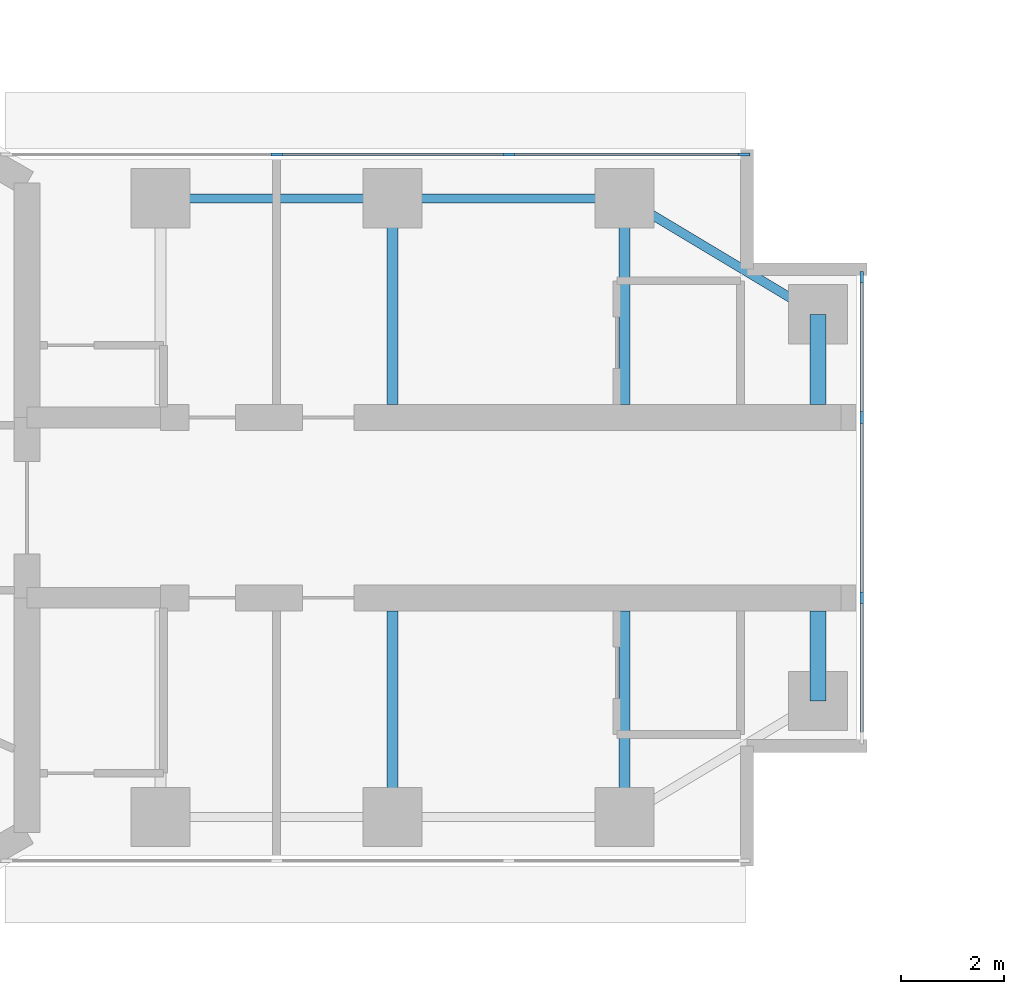
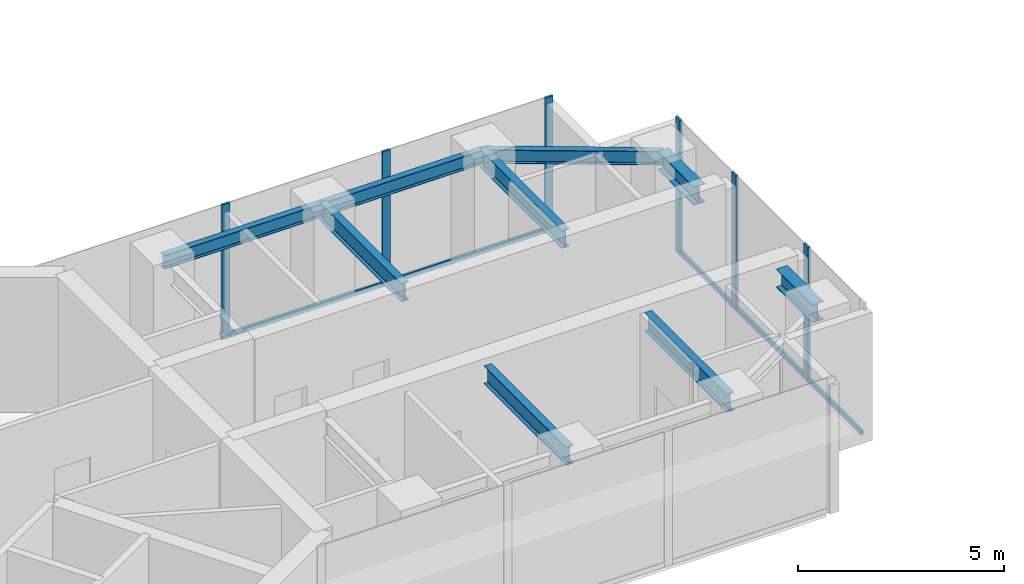
# One storey, part 7 of 17: 11 members, 9 beams, 2 elements without a shape of their own.
"""IFC4 building model written with IfcOpenShell, lengths in metres."""

from ifc_helpers import new_model, si_unit, direction, frame, origin, origin_2d, place, context, subcontext, project, spatial, rectangle, i_section, extrude, material, material_profile, profile_set, type_object, element, aggregate, save


model = new_model("IFC4")

# Units and contexts
model_context = context("Model", 3, precision=1e-05, world=origin(), true_north=direction((0.0, 1.0)))
body_context = subcontext(model_context, "Body", "Model", "MODEL_VIEW")
ifc_project = project(units=[si_unit("LENGTHUNIT", "METRE"), si_unit("AREAUNIT", "SQUARE_METRE"), si_unit("VOLUMEUNIT", "CUBIC_METRE"), si_unit("PLANEANGLEUNIT", "RADIAN"), si_unit("MASSUNIT", "GRAM", prefix="KILO")], contexts=[model_context])

# Site, building, storey
site_placement = place(None, origin())
site = spatial("IfcSite", under=ifc_project, at=site_placement, CompositionType="ELEMENT")
building_placement = place(site_placement, origin())
building = spatial("IfcBuilding", under=site, at=building_placement, Name="Upepo Twin Towers", CompositionType="ELEMENT")
storey_placement = place(building_placement, frame((0.0, 0.0, 194.5)))
storey = spatial("IfcBuildingStorey", under=building, at=storey_placement, Name="L47", CompositionType="ELEMENT", Elevation=194.5)

# Beams
ifc_material_1 = material(Name="Steel S355", Category="steel")
ifc_material_profile_1 = material_profile(ifc_material_1, i_section(OverallWidth=0.177978515625, OverallDepth=0.406494140625, WebThickness=0.0078125, FlangeThickness=0.0126953125, FilletRadius=0.01025390625, at=origin_2d()), Name="UB 406x178x60")
ifc_profile_set_1 = profile_set([ifc_material_profile_1], Name="Steel S355")
beam_type_1 = type_object("IfcBeamType", Name="Beam UB 406x178x60", PredefinedType="BEAM", material=ifc_profile_set_1)
for number, where, z_axis, x_axis, name in (
    (1, (13.5, 6.0, 3.5966796875), (1.0, 0.0, 0.0), (0.0, 1.0, 0.0), "T1 edge beam AL 13.5-18.0"),
    (2, (18.0, 6.0, 3.5966796875), (1.0, 0.0, 0.0), (0.0, 1.0, 0.0), "T1 edge beam AL 18.0-22.5"),
):
    element("IfcBeam", number, at=place(storey_placement, frame(where, z_axis=z_axis, x_axis=x_axis)), inside=storey, type_object=beam_type_1, Name=name, PredefinedType="BEAM", context=body_context, shape_type="SweptSolid", body=[
        extrude(i_section(OverallWidth=0.177978515625, OverallDepth=0.406494140625, WebThickness=0.0078125, FlangeThickness=0.0126953125, FilletRadius=0.01025390625, at=origin_2d()), origin(), (0.0, 0.0, 1.0), 4.5),
    ])
beam_placement = place(storey_placement, frame((22.5, 6.0, 3.5966796875), z_axis=(0.857492925713, -0.514495755428, 0.0), x_axis=(0.514495755428, 0.857492925713, 0.0)))
element("IfcBeam", 3, at=beam_placement, inside=storey, type_object=beam_type_1, Name="T1 nose edge beam AL", PredefinedType="BEAM", context=body_context, shape_type="SweptSolid", body=[
    extrude(i_section(OverallWidth=0.177978515625, OverallDepth=0.406494140625, WebThickness=0.0078125, FlangeThickness=0.0126953125, FilletRadius=0.01025390625, at=origin_2d()), origin(), (0.0, 0.0, 1.0), 4.373291015625),
])
ifc_material_2 = material(Name="Steel S355", Category="steel")
ifc_material_profile_2 = material_profile(ifc_material_2, i_section(OverallWidth=0.209228515625, OverallDepth=0.533203125, WebThickness=0.010009765625, FlangeThickness=0.015625, FilletRadius=0.0126953125, at=origin_2d()), Name="UB 533x210x92")
ifc_profile_set_2 = profile_set([ifc_material_profile_2], Name="Steel S355")
beam_type_2 = type_object("IfcBeamType", Name="Beam UB 533x210x92", PredefinedType="BEAM", material=ifc_profile_set_2)
for number, where, z_axis, x_axis, name in (
    (4, (18.0, 6.0, 3.533447265625), (0.0, -1.0, 0.0), (1.0, 0.0, 0.0), "T1 girder AL at 18.0"),
    (5, (22.5, 6.0, 3.533447265625), (0.0, -1.0, 0.0), (1.0, 0.0, 0.0), "T1 girder AL at 22.5"),
    (6, (18.0, -6.0, 3.533447265625), (0.0, 1.0, 0.0), (-1.0, 0.0, 0.0), "T1 girder AR at 18.0"),
    (7, (22.5, -6.0, 3.533447265625), (0.0, 1.0, 0.0), (-1.0, 0.0, 0.0), "T1 girder AR at 22.5"),
):
    element("IfcBeam", number, at=place(storey_placement, frame(where, z_axis=z_axis, x_axis=x_axis)), inside=storey, type_object=beam_type_2, Name=name, PredefinedType="BEAM", context=body_context, shape_type="SweptSolid", body=[
        extrude(i_section(OverallWidth=0.209228515625, OverallDepth=0.533203125, WebThickness=0.010009765625, FlangeThickness=0.015625, FilletRadius=0.0126953125, at=origin_2d()), origin(), (0.0, 0.0, 1.0), 4.0),
    ])
ifc_material_3 = material(Name="Steel S355", Category="steel")
ifc_material_profile_3 = material_profile(ifc_material_3, i_section(OverallWidth=0.31201171875, OverallDepth=0.54345703125, WebThickness=0.0126953125, FlangeThickness=0.020263671875, FilletRadius=0.0126953125, at=origin_2d()), Name="UB 533x312x150")
ifc_profile_set_3 = profile_set([ifc_material_profile_3], Name="Steel S355")
beam_type_3 = type_object("IfcBeamType", Name="Beam UB 533x312x150", PredefinedType="BEAM", material=ifc_profile_set_3)
for number, where, z_axis, x_axis, name in (
    (8, (26.25, 3.75, 3.5283203125), (0.0, -1.0, 0.0), (1.0, 0.0, 0.0), "T1 nose beam AL"),
    (9, (26.25, -3.75, 3.5283203125), (0.0, 1.0, 0.0), (-1.0, 0.0, 0.0), "T1 nose beam AR"),
):
    element("IfcBeam", number, at=place(storey_placement, frame(where, z_axis=z_axis, x_axis=x_axis)), inside=storey, type_object=beam_type_3, Name=name, PredefinedType="BEAM", context=body_context, shape_type="SweptSolid", body=[
        extrude(i_section(OverallWidth=0.31201171875, OverallDepth=0.54345703125, WebThickness=0.0126953125, FlangeThickness=0.020263671875, FilletRadius=0.0126953125, at=origin_2d()), origin(), (0.0, 0.0, 1.0), 1.75),
    ])

# Curtain wall, members
ifc_material_4 = material(Name="Aluminium and fritted glass", Category="aluminium")
curtain_wall_type = type_object("IfcCurtainWallType", Name="Tower curtain wall TW3, fritted glass", PredefinedType="NOTDEFINED", material=ifc_material_4)
curtain_wall_1_placement = place(storey_placement, origin())
curtain_wall_1 = element("IfcCurtainWall", 10, at=curtain_wall_1_placement, inside=storey, type_object=curtain_wall_type, Name="T1 L47 wing A flank L curtain wall", PredefinedType="NOTDEFINED")
ifc_material_5 = material(Name="Aluminium mullion", Category="aluminium")
ifc_material_profile_4 = material_profile(ifc_material_5, rectangle(XDim=0.06494140625, YDim=0.22509765625, at=origin_2d()), Name="MULLION 65x225")
ifc_profile_set_4 = profile_set([ifc_material_profile_4], Name="Aluminium mullion")
member_type_1 = type_object("IfcMemberType", Name="Mullion 65x225 TW3", PredefinedType="MULLION", material=ifc_profile_set_4)
member_1_placement = place(storey_placement, frame((15.75, 6.85009765625, 0.0), z_axis=(0.0, 0.0, 1.0), x_axis=(0.0, 1.0, 0.0)))
member_1 = element("IfcMember", 11, at=member_1_placement, type_object=member_type_1, Name="T1 L47 wing A flank L curtain wall mullion 2", PredefinedType="MULLION", context=body_context, shape_type="SweptSolid", body=[
    extrude(rectangle(XDim=0.06494140625, YDim=0.22509765625, at=origin_2d()), origin(), (0.0, 0.0, 1.0), 4.0),
])
member_2_placement = place(storey_placement, frame((20.25, 6.85009765625, 0.0), z_axis=(0.0, 0.0, 1.0), x_axis=(0.0, 1.0, 0.0)))
member_2 = element("IfcMember", 12, at=member_2_placement, type_object=member_type_1, Name="T1 L47 wing A flank L curtain wall mullion 3", PredefinedType="MULLION", context=body_context, shape_type="SweptSolid", body=[
    extrude(rectangle(XDim=0.06494140625, YDim=0.22509765625, at=origin_2d()), origin(), (0.0, 0.0, 1.0), 4.0),
])
member_3_placement = place(storey_placement, frame((24.8173828125, 6.85009765625, 0.0), z_axis=(0.0, 0.0, 1.0), x_axis=(0.0, 1.0, 0.0)))
member_3 = element("IfcMember", 13, at=member_3_placement, type_object=member_type_1, Name="T1 L47 wing A flank L curtain wall mullion 4", PredefinedType="MULLION", context=body_context, shape_type="SweptSolid", body=[
    extrude(rectangle(XDim=0.06494140625, YDim=0.22509765625, at=origin_2d()), origin(), (0.0, 0.0, 1.0), 4.0),
])

curtain_wall_2_placement = place(storey_placement, origin())
curtain_wall_2 = element("IfcCurtainWall", 14, at=curtain_wall_2_placement, inside=storey, type_object=curtain_wall_type, Name="T1 L47 wing A nose curtain wall", PredefinedType="NOTDEFINED")
member_4_placement = place(storey_placement, frame((27.10009765625, -1.75, 0.0), z_axis=(0.0, 0.0, 1.0), x_axis=(-1.0, 0.0, 0.0)))
member_4 = element("IfcMember", 15, at=member_4_placement, type_object=member_type_1, Name="T1 L47 wing A nose curtain wall mullion 2", PredefinedType="MULLION", context=body_context, shape_type="SweptSolid", body=[
    extrude(rectangle(XDim=0.06494140625, YDim=0.22509765625, at=origin_2d()), origin(), (0.0, 0.0, 1.0), 4.0),
])
member_5_placement = place(storey_placement, frame((27.10009765625, 1.75, 0.0), z_axis=(0.0, 0.0, 1.0), x_axis=(-1.0, 0.0, 0.0)))
member_5 = element("IfcMember", 16, at=member_5_placement, type_object=member_type_1, Name="T1 L47 wing A nose curtain wall mullion 3", PredefinedType="MULLION", context=body_context, shape_type="SweptSolid", body=[
    extrude(rectangle(XDim=0.06494140625, YDim=0.22509765625, at=origin_2d()), origin(), (0.0, 0.0, 1.0), 4.0),
])
member_6_placement = place(storey_placement, frame((27.10009765625, 4.467529296875, 0.0), z_axis=(0.0, 0.0, 1.0), x_axis=(-1.0, 0.0, 0.0)))
member_6 = element("IfcMember", 17, at=member_6_placement, type_object=member_type_1, Name="T1 L47 wing A nose curtain wall mullion 4", PredefinedType="MULLION", context=body_context, shape_type="SweptSolid", body=[
    extrude(rectangle(XDim=0.06494140625, YDim=0.22509765625, at=origin_2d()), origin(), (0.0, 0.0, 1.0), 4.0),
])

# Member
ifc_material_6 = material(Name="Aluminium transom", Category="aluminium")
ifc_material_profile_5 = material_profile(ifc_material_6, rectangle(XDim=0.06494140625, YDim=0.14990234375, at=origin_2d()), Name="TRANSOM 65x150")
ifc_profile_set_5 = profile_set([ifc_material_profile_5], Name="Aluminium transom")
member_type_2 = type_object("IfcMemberType", Name="Transom 65x150 TW3", PredefinedType="USERDEFINED", material=ifc_profile_set_5)
member_7_placement = place(storey_placement, frame((15.782470703125, 6.85009765625, 0.074951171875), z_axis=(1.0, 0.0, 0.0), x_axis=(0.0, 1.0, 0.0)))
member_7 = element("IfcMember", 18, at=member_7_placement, type_object=member_type_2, Name="T1 L47 wing A flank L curtain wall transom 2", ObjectType="TRANSOM", PredefinedType="USERDEFINED", context=body_context, shape_type="SweptSolid", body=[
    extrude(rectangle(XDim=0.06494140625, YDim=0.14990234375, at=origin_2d()), origin(), (0.0, 0.0, 1.0), 4.43505859375),
])

member_8_placement = place(storey_placement, frame((20.282470703125, 6.85009765625, 0.074951171875), z_axis=(1.0, 0.0, 0.0), x_axis=(0.0, 1.0, 0.0)))
member_8 = element("IfcMember", 19, at=member_8_placement, type_object=member_type_2, Name="T1 L47 wing A flank L curtain wall transom 3", ObjectType="TRANSOM", PredefinedType="USERDEFINED", context=body_context, shape_type="SweptSolid", body=[
    extrude(rectangle(XDim=0.06494140625, YDim=0.14990234375, at=origin_2d()), origin(), (0.0, 0.0, 1.0), 4.50244140625),
])

aggregate(curtain_wall_1, [member_1, member_2, member_3, member_7, member_8])

member_9_placement = place(storey_placement, frame((27.10009765625, -4.43505859375, 0.074951171875), z_axis=(0.0, 1.0, 0.0), x_axis=(-1.0, 0.0, 0.0)))
member_9 = element("IfcMember", 20, at=member_9_placement, type_object=member_type_2, Name="T1 L47 wing A nose curtain wall transom 1", ObjectType="TRANSOM", PredefinedType="USERDEFINED", context=body_context, shape_type="SweptSolid", body=[
    extrude(rectangle(XDim=0.06494140625, YDim=0.14990234375, at=origin_2d()), origin(), (0.0, 0.0, 1.0), 2.652587890625),
])

member_10_placement = place(storey_placement, frame((27.10009765625, -1.717529296875, 0.074951171875), z_axis=(0.0, 1.0, 0.0), x_axis=(-1.0, 0.0, 0.0)))
member_10 = element("IfcMember", 21, at=member_10_placement, type_object=member_type_2, Name="T1 L47 wing A nose curtain wall transom 2", ObjectType="TRANSOM", PredefinedType="USERDEFINED", context=body_context, shape_type="SweptSolid", body=[
    extrude(rectangle(XDim=0.06494140625, YDim=0.14990234375, at=origin_2d()), origin(), (0.0, 0.0, 1.0), 3.43505859375),
])

member_11_placement = place(storey_placement, frame((27.10009765625, 1.782470703125, 0.074951171875), z_axis=(0.0, 1.0, 0.0), x_axis=(-1.0, 0.0, 0.0)))
member_11 = element("IfcMember", 22, at=member_11_placement, type_object=member_type_2, Name="T1 L47 wing A nose curtain wall transom 3", ObjectType="TRANSOM", PredefinedType="USERDEFINED", context=body_context, shape_type="SweptSolid", body=[
    extrude(rectangle(XDim=0.06494140625, YDim=0.14990234375, at=origin_2d()), origin(), (0.0, 0.0, 1.0), 2.652587890625),
])

aggregate(curtain_wall_2, [member_4, member_5, member_6, member_9, member_10, member_11])

save(model, "model.ifc")
